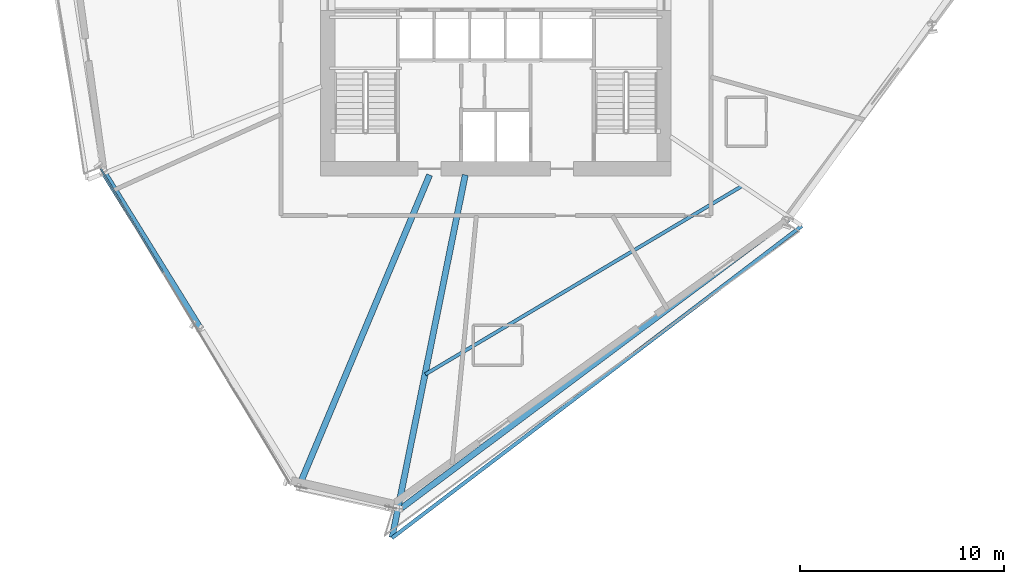
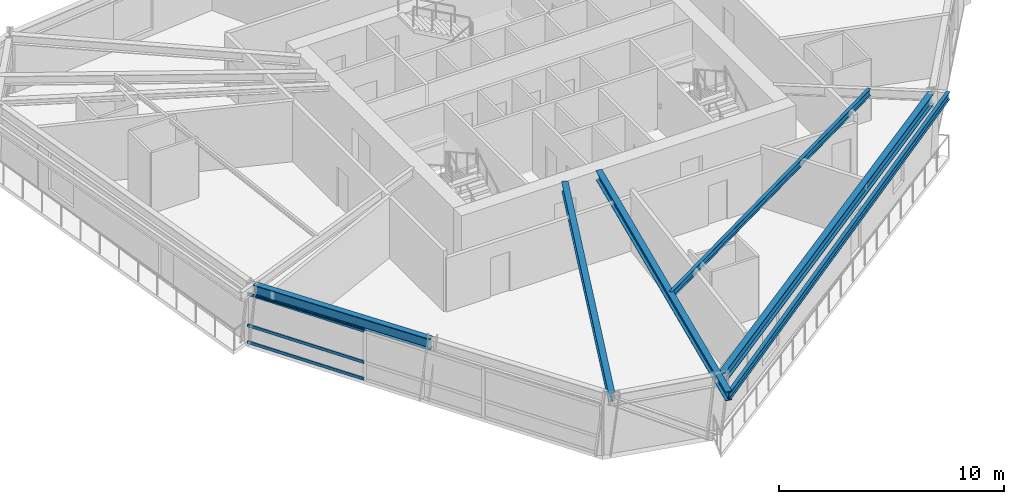
# One storey, part 3 of 18: 6 beams, 3 members, 1 element without a shape of its own.
"""IFC4 building model written with IfcOpenShell, lengths in metres."""

from ifc_helpers import new_model, si_unit, direction, frame, origin, origin_2d, place, context, subcontext, project, spatial, hollow_rectangle, i_section, extrude, source, transform, mapped, material, material_profile, profile_set, type_object, element, aggregate, save


model = new_model("IFC4")

# Units and contexts
model_context = context("Model", 3, precision=1e-05, world=origin(), true_north=direction((0.0, 1.0)))
body_context = subcontext(model_context, "Body", "Model", "MODEL_VIEW")
ifc_project = project(units=[si_unit("LENGTHUNIT", "METRE"), si_unit("AREAUNIT", "SQUARE_METRE"), si_unit("VOLUMEUNIT", "CUBIC_METRE"), si_unit("PLANEANGLEUNIT", "RADIAN"), si_unit("MASSUNIT", "GRAM", prefix="KILO")], contexts=[model_context])

# Site, building, storey
site_placement = place(None, origin())
site = spatial("IfcSite", under=ifc_project, at=site_placement, CompositionType="ELEMENT")
building_placement = place(site_placement, origin())
building = spatial("IfcBuilding", under=site, at=building_placement, Name="Olszyna Solenne Hotel", CompositionType="ELEMENT")
storey_placement = place(building_placement, frame((0.0, 0.0, 119.89990234375)))
storey = spatial("IfcBuildingStorey", under=building, at=storey_placement, Name="L31", CompositionType="ELEMENT", Elevation=119.89990234375)

# Beams
ifc_material_1 = material(Name="Steel S355J2", Category="steel")
ifc_material_profile_1 = material_profile(ifc_material_1, i_section(OverallWidth=0.300048828125, OverallDepth=0.60009765625, WebThickness=0.015380859375, FlangeThickness=0.030029296875, at=origin_2d()), Name="HEB 600", Category="load-bearing")
ifc_profile_set_1 = profile_set([ifc_material_profile_1], Name="Steel S355J2")
beam_type_1 = type_object("IfcBeamType", Name="BM-S2", PredefinedType="BEAM", material=ifc_profile_set_1)
shared_shape_1 = source(origin(), body_context, "Body", "SweptSolid", [
    extrude(i_section(OverallWidth=0.300048828125, OverallDepth=0.60009765625, WebThickness=0.015380859375, FlangeThickness=0.030029296875, at=origin_2d()), origin(), (0.0, 0.0, 1.0), 8.9404296875),
])
beam_1_placement = place(storey_placement, frame((18.814208984375, 18.88916015625, 3.0), z_axis=(0.526599958294, -0.850113218298, 0.0), x_axis=(0.850113218298, 0.526599958294, 0.0)))
element("IfcBeam", 1, at=beam_1_placement, inside=storey, type_object=beam_type_1, Name="Perimeter spandrel beam BM-S2 B-L31-0933", PredefinedType="BEAM", context=body_context, shape_type="MappedRepresentation", body=[
    mapped(shared_shape_1, transform((0.0, 0.0, 0.0), x_axis=(1.0, 0.0, 0.0), y_axis=(0.0, 1.0, 0.0), z_axis=(0.0, 0.0, 1.0), scale=1.0)),
])
shared_shape_2 = source(origin(), body_context, "Body", "SweptSolid", [
    extrude(i_section(OverallWidth=0.300048828125, OverallDepth=0.60009765625, WebThickness=0.015380859375, FlangeThickness=0.030029296875, at=origin_2d()), origin(), (0.0, 0.0, 1.0), 23.70263671875),
])
beam_2_placement = place(storey_placement, frame((33.368896484375, 2.500244140625, 3.0), z_axis=(0.800898921975, 0.598799563108, 0.0), x_axis=(-0.598799563108, 0.800898921975, 0.0)))
element("IfcBeam", 2, at=beam_2_placement, inside=storey, type_object=beam_type_1, Name="Perimeter spandrel beam BM-S2 B-L31-0936", PredefinedType="BEAM", context=body_context, shape_type="MappedRepresentation", body=[
    mapped(shared_shape_2, transform((0.0, 0.0, 0.0), x_axis=(1.0, 0.0, 0.0), y_axis=(0.0, 1.0, 0.0), z_axis=(0.0, 0.0, 1.0), scale=1.0)),
])
ifc_material_profile_2 = material_profile(ifc_material_1, i_section(OverallWidth=0.300048828125, OverallDepth=0.489990234375, WebThickness=0.011962890625, FlangeThickness=0.02294921875, at=origin_2d()), Name="HEA 500", Category="load-bearing")
ifc_profile_set_2 = profile_set([ifc_material_profile_2], Name="Steel S355J2")
beam_type_2 = type_object("IfcBeamType", Name="BM-G1", PredefinedType="BEAM", material=ifc_profile_set_2)
shared_shape_3 = source(origin(), body_context, "Body", "SweptSolid", [
    extrude(i_section(OverallWidth=0.300048828125, OverallDepth=0.489990234375, WebThickness=0.011962890625, FlangeThickness=0.02294921875, at=origin_2d()), origin(), (0.0, 0.0, 1.0), 16.543212890625),
])
beam_3_placement = place(storey_placement, frame((28.348388671875, 3.5908203125, 3.05517578125), z_axis=(0.386816958239, 0.922156516443, 0.0), x_axis=(-0.922156516443, 0.386816958239, 0.0)))
element("IfcBeam", 3, at=beam_3_placement, inside=storey, type_object=beam_type_2, Name="Radial floor girder BM-G1 B-L31-0945", PredefinedType="BEAM", context=body_context, shape_type="MappedRepresentation", body=[
    mapped(shared_shape_3, transform((0.0, 0.0, 0.0), x_axis=(1.0, 0.0, 0.0), y_axis=(0.0, 1.0, 0.0), z_axis=(0.0, 0.0, 1.0), scale=1.0)),
])
shared_shape_4 = source(origin(), body_context, "Body", "SweptSolid", [
    extrude(i_section(OverallWidth=0.300048828125, OverallDepth=0.489990234375, WebThickness=0.011962890625, FlangeThickness=0.02294921875, at=origin_2d()), origin(), (0.0, 0.0, 1.0), 18.1572265625),
])
beam_4_placement = place(storey_placement, frame((32.9072265625, 1.05029296875, 3.05517578125), z_axis=(0.197721620183, 0.980258211346, 0.0), x_axis=(-0.980258211346, 0.197721620183, 0.0)))
element("IfcBeam", 4, at=beam_4_placement, inside=storey, type_object=beam_type_2, Name="Radial floor girder BM-G1 B-L31-0946", PredefinedType="BEAM", context=body_context, shape_type="MappedRepresentation", body=[
    mapped(shared_shape_4, transform((0.0, 0.0, 0.0), x_axis=(1.0, 0.0, 0.0), y_axis=(0.0, 1.0, 0.0), z_axis=(0.0, 0.0, 1.0), scale=1.0)),
])
ifc_material_profile_3 = material_profile(ifc_material_1, i_section(OverallWidth=0.169921875, OverallDepth=0.360107421875, WebThickness=0.008056640625, FlangeThickness=0.0126953125, at=origin_2d()), Name="IPE 360", Category="load-bearing")
ifc_profile_set_3 = profile_set([ifc_material_profile_3], Name="Steel S355J2")
beam_type_3 = type_object("IfcBeamType", Name="JS-01", PredefinedType="JOIST", material=ifc_profile_set_3)
shared_shape_5 = source(origin(), body_context, "Body", "SweptSolid", [
    extrude(i_section(OverallWidth=0.169921875, OverallDepth=0.360107421875, WebThickness=0.008056640625, FlangeThickness=0.0126953125, at=origin_2d()), origin(), (0.0, 0.0, 1.0), 18.098876953125),
])
beam_5_placement = place(storey_placement, frame((34.537841796875, 9.05908203125, 3.1201171875), z_axis=(0.859493124233, 0.511147306944, 0.0), x_axis=(-0.511147306944, 0.859493124233, 0.0)))
element("IfcBeam", 5, at=beam_5_placement, inside=storey, type_object=beam_type_3, Name="Secondary composite floor joist JS-01 B-L31-0953", PredefinedType="JOIST", context=body_context, shape_type="MappedRepresentation", body=[
    mapped(shared_shape_5, transform((0.0, 0.0, 0.0), x_axis=(1.0, 0.0, 0.0), y_axis=(0.0, 1.0, 0.0), z_axis=(0.0, 0.0, 1.0), scale=1.0)),
])
ifc_material_profile_4 = material_profile(ifc_material_1, i_section(OverallWidth=0.179931640625, OverallDepth=0.39990234375, WebThickness=0.008544921875, FlangeThickness=0.013427734375, at=origin_2d()), Name="IPE 400", Category="load-bearing")
ifc_profile_set_4 = profile_set([ifc_material_profile_4], Name="Steel S355J2")
beam_type_4 = type_object("IfcBeamType", Name="BM-F5", PredefinedType="BEAM", material=ifc_profile_set_4)
shared_shape_6 = source(origin(), body_context, "Body", "SweptSolid", [
    extrude(i_section(OverallWidth=0.179931640625, OverallDepth=0.39990234375, WebThickness=0.008544921875, FlangeThickness=0.013427734375, at=origin_2d()), origin(), (0.0, 0.0, 1.0), 25.281005859375),
])
beam_6_placement = place(storey_placement, frame((32.9033203125, 1.03076171875, 3.10009765625), z_axis=(0.795609919416, 0.605809257214, 0.0), x_axis=(-0.605809257214, 0.795609919416, 0.0)))
element("IfcBeam", 6, at=beam_6_placement, inside=storey, type_object=beam_type_4, Name="Loggia outer edge beam BM-F5 B-L31-0956", PredefinedType="BEAM", context=body_context, shape_type="MappedRepresentation", body=[
    mapped(shared_shape_6, transform((0.0, 0.0, 0.0), x_axis=(1.0, 0.0, 0.0), y_axis=(0.0, 1.0, 0.0), z_axis=(0.0, 0.0, 1.0), scale=1.0)),
])

# Curtain wall, members
ifc_material_2 = material(Name="Anodised bronze aluminium", Category="aluminium")
curtain_wall_type = type_object("IfcCurtainWallType", Name="CW-SYS-3", PredefinedType="NOTDEFINED", material=ifc_material_2)
curtain_wall_placement = place(storey_placement, origin())
curtain_wall = element("IfcCurtainWall", 7, at=curtain_wall_placement, inside=storey, type_object=curtain_wall_type, Name="Unitised curtain wall CW-SYS-3 CW-L31-01", PredefinedType="NOTDEFINED")
ifc_material_profile_5 = material_profile(ifc_material_2, hollow_rectangle(XDim=0.074951171875, YDim=0.159912109375, WallThickness=0.00390625, at=origin_2d()), Name="TRAN 160x75x4", Category="load-bearing")
ifc_profile_set_5 = profile_set([ifc_material_profile_5], Name="Anodised bronze aluminium")
member_type = type_object("IfcMemberType", Name="CW-T1", PredefinedType="USERDEFINED", material=ifc_profile_set_5)
shared_shape_7 = source(origin(), body_context, "Body", "SweptSolid", [
    extrude(hollow_rectangle(XDim=0.074951171875, YDim=0.159912109375, WallThickness=0.00390625, at=origin_2d()), origin(), (0.0, 0.0, 1.0), 5.934814453125),
])
member_1_placement = place(storey_placement, frame((18.61474609375, 19.146240234375, 0.03759765625), z_axis=(0.515415009553, -0.85694070269, 0.0), x_axis=(0.85694070269, 0.515415009553, 0.0)))
member_1 = element("IfcMember", 8, at=member_1_placement, type_object=member_type, Name="Curtain-wall transom CW-T1 CT-L31-01-01", ObjectType="TRANSOM", PredefinedType="USERDEFINED", context=body_context, shape_type="MappedRepresentation", body=[
    mapped(shared_shape_7, transform((0.0, 0.0, 0.0), x_axis=(1.0, 0.0, 0.0), y_axis=(0.0, 1.0, 0.0), z_axis=(0.0, 0.0, 1.0), scale=1.0)),
])
member_2_placement = place(storey_placement, frame((18.61474609375, 19.146240234375, 0.9501953125), z_axis=(0.515415009553, -0.85694070269, 0.0), x_axis=(0.85694070269, 0.515415009553, 0.0)))
member_2 = element("IfcMember", 9, at=member_2_placement, type_object=member_type, Name="Curtain-wall transom CW-T1 CT-L31-01-02", ObjectType="TRANSOM", PredefinedType="USERDEFINED", context=body_context, shape_type="MappedRepresentation", body=[
    mapped(shared_shape_7, transform((0.0, 0.0, 0.0), x_axis=(1.0, 0.0, 0.0), y_axis=(0.0, 1.0, 0.0), z_axis=(0.0, 0.0, 1.0), scale=1.0)),
])
member_3_placement = place(storey_placement, frame((18.61474609375, 19.146240234375, 2.654541015625), z_axis=(0.515415009553, -0.85694070269, 0.0), x_axis=(0.85694070269, 0.515415009553, 0.0)))
member_3 = element("IfcMember", 10, at=member_3_placement, type_object=member_type, Name="Curtain-wall transom CW-T1 CT-L31-01-03", ObjectType="TRANSOM", PredefinedType="USERDEFINED", context=body_context, shape_type="MappedRepresentation", body=[
    mapped(shared_shape_7, transform((0.0, 0.0, 0.0), x_axis=(1.0, 0.0, 0.0), y_axis=(0.0, 1.0, 0.0), z_axis=(0.0, 0.0, 1.0), scale=1.0)),
])
aggregate(curtain_wall, [member_1, member_2, member_3])

save(model, "model.ifc")
